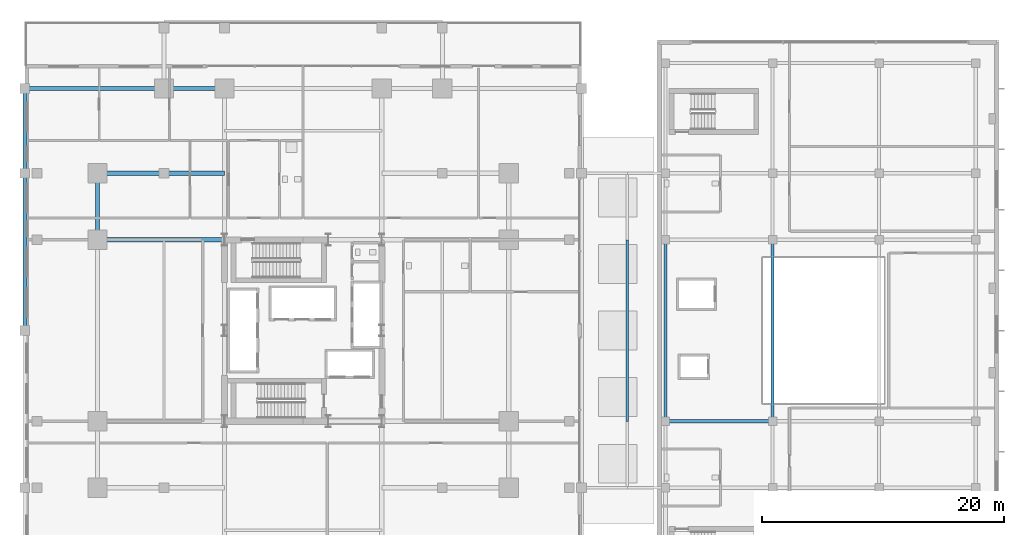
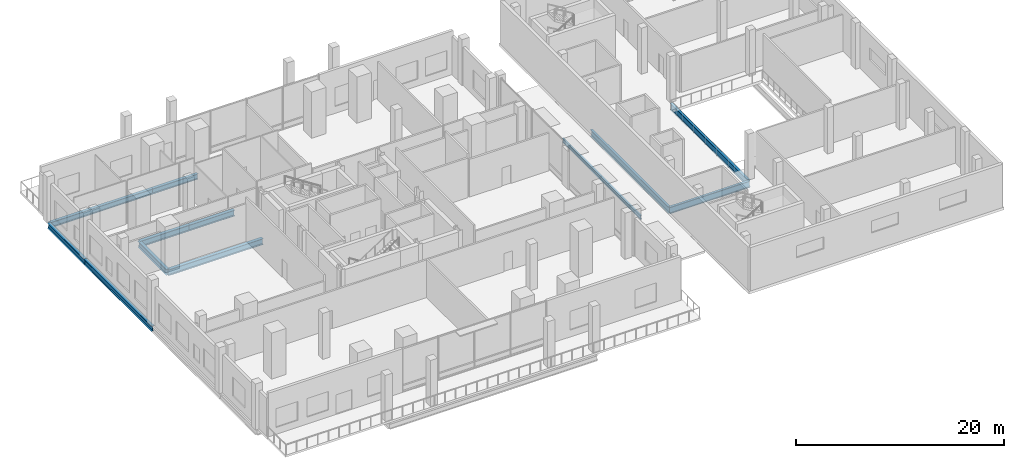
# One storey, part 14 of 36: 12 beams.
"""IFC4 building model written with IfcOpenShell, lengths in metres."""

import ifcopenshell
import ifcopenshell.guid

model = None  # the IFC model being written
_history = None  # IfcOwnerHistory: only IFC2X3 demands one
_inside = {}  # id of a spatial element -> (the spatial element, [elements in it])
_under = {}  # id of a project, library or spatial element -> (it, [spatial elements below it])
_declared = {}  # id of a project -> (the project, [libraries it declares])
_typed = {}  # id of a type object -> (the type object, [elements of that type])
_made_of = {}  # id of a material, layer set ... -> (it, [elements and type objects made of it])


def new_model(schema):
    """Start an empty IFC model of exactly this schema.

    Asked for "IFC4X3", IfcOpenShell would pick the latest addendum, in which some entities
    have other attributes; the version numbers below select the first issue.
    IFC2X3 requires an IfcOwnerHistory on every rooted entity: one is made here for all.
    """
    global model, _history
    if schema == "IFC4X3":
        model = ifcopenshell.file(schema_version=(4, 3, 0, 0))
    else:
        model = ifcopenshell.file(schema=schema)
    _inside.clear()
    _under.clear()
    _declared.clear()
    _typed.clear()
    _made_of.clear()
    _history = None
    if model.schema == "IFC2X3":
        org = make("IfcOrganization", Name="unknown")
        user = make(
            "IfcPersonAndOrganization",
            ThePerson=make("IfcPerson", FamilyName="unknown"),
            TheOrganization=org,
        )
        app = make(
            "IfcApplication",
            ApplicationDeveloper=org,
            Version="unknown",
            ApplicationFullName="unknown",
            ApplicationIdentifier="unknown",
        )
        _history = make(
            "IfcOwnerHistory",
            OwningUser=user,
            OwningApplication=app,
            ChangeAction="ADDED",
            CreationDate=0,
        )
    return model


def make(cls, **values):
    """One entity of the class cls with the attributes given. An attribute that is None is left unset."""
    return model.create_entity(
        cls, **{name: value for name, value in values.items() if value is not None}
    )


def rooted(cls, **values):
    """An entity with a GlobalId (a new one), such as an element, a storey or a relation."""
    return make(cls, GlobalId=ifcopenshell.guid.new(), OwnerHistory=_history, **values)


def si_unit(unit_type, name, prefix=None):
    """IfcSIUnit, for example si_unit("LENGTHUNIT", "METRE", prefix="MILLI")."""
    return make("IfcSIUnit", UnitType=unit_type, Prefix=prefix, Name=name)


def assignment(units):
    """IfcUnitAssignment: the units of a project."""
    return None if units is None else make("IfcUnitAssignment", Units=units)


def point(xyz):
    """IfcCartesianPoint."""
    return None if xyz is None else make("IfcCartesianPoint", Coordinates=xyz)


def direction(xyz):
    """IfcDirection."""
    return None if xyz is None else make("IfcDirection", DirectionRatios=xyz)


def frame(location, z_axis=None, x_axis=None):
    """IfcAxis2Placement3D, a coordinate frame: its origin and axes. An axis left out is left unset."""
    return make(
        "IfcAxis2Placement3D",
        Location=point(location),
        Axis=direction(z_axis),
        RefDirection=direction(x_axis),
    )


def frame_2d(location, x_axis=None):
    """IfcAxis2Placement2D, a coordinate frame in the plane: its origin and x axis."""
    return make(
        "IfcAxis2Placement2D", Location=point(location), RefDirection=direction(x_axis)
    )


def origin():
    """The frame at (0, 0, 0) with its axes left unset."""
    return frame((0.0, 0.0, 0.0))


def origin_2d():
    """The frame at (0, 0) in the plane with its x axis left unset."""
    return frame_2d((0.0, 0.0))


def place(relative_to, where):
    """IfcLocalPlacement: puts the frame where relative to a parent placement (None: the world)."""
    return make(
        "IfcLocalPlacement", PlacementRelTo=relative_to, RelativePlacement=where
    )


def context(
    kind, dimensions, precision=None, world=None, true_north=None, identifier=None
):
    """IfcGeometricRepresentationContext, for example the 3D "Model" context."""
    return make(
        "IfcGeometricRepresentationContext",
        ContextIdentifier=identifier,
        ContextType=kind,
        CoordinateSpaceDimension=dimensions,
        Precision=precision,
        WorldCoordinateSystem=world,
        TrueNorth=true_north,
    )


def subcontext(parent, identifier, kind, view, scale=None):
    """IfcGeometricRepresentationSubContext, for example "Body" below "Model"."""
    return make(
        "IfcGeometricRepresentationSubContext",
        ContextIdentifier=identifier,
        ContextType=kind,
        ParentContext=parent,
        TargetScale=scale,
        TargetView=view,
    )


def project(units=None, contexts=None):
    """IfcProject with its units and contexts."""
    return rooted(
        "IfcProject",
        Name="project",
        RepresentationContexts=contexts,
        UnitsInContext=assignment(units),
    )


def spatial(cls, under=None, at=None, **own):
    """A site, building, storey or space (cls), placed at a placement, below another one or the project."""
    s = rooted(cls, ObjectPlacement=at, **own)
    if under is not None:
        _under.setdefault(under.id(), (under, []))[1].append(s)
    return s


def profile(cls, at=None, kind="AREA", **sizes):
    """A parametric profile (cls). Its sizes go by their IFC names, for example OverallWidth=200.0."""
    return make(cls, ProfileType=kind, Position=at, **sizes)


def i_section(**sizes):
    """IfcIShapeProfileDef."""
    return profile("IfcIShapeProfileDef", **sizes)


def extrude(swept, where, along, depth):
    """IfcExtrudedAreaSolid: the profile swept, set in the frame where, extruded along a direction by depth."""
    return make(
        "IfcExtrudedAreaSolid",
        SweptArea=swept,
        Position=where,
        ExtrudedDirection=direction(along),
        Depth=depth,
    )


def shape(context_of_items, identifier, shape_type, items):
    """IfcShapeRepresentation: the items that make up one representation, for example the "Body"."""
    return make(
        "IfcShapeRepresentation",
        ContextOfItems=context_of_items,
        RepresentationIdentifier=identifier,
        RepresentationType=shape_type,
        Items=items,
    )


def material(Name=None, Category=None):
    """IfcMaterial."""
    return make("IfcMaterial", Name=Name, Category=Category)


def material_profile(
    of_material, cross_section, Name=None, Category=None, Priority=None
):
    """IfcMaterialProfile: a cross section and its material."""
    return make(
        "IfcMaterialProfile",
        Name=Name,
        Material=of_material,
        Profile=cross_section,
        Priority=Priority,
        Category=Category,
    )


def profile_set(profiles, Name=None, composite=None):
    """IfcMaterialProfileSet."""
    return make(
        "IfcMaterialProfileSet",
        Name=Name,
        MaterialProfiles=profiles,
        CompositeProfile=composite,
    )


def made_of(thing, what):
    """Note that an element or type object is made of a material, layer set ...; save() writes the relation."""
    if what is not None:
        _made_of.setdefault(what.id(), (what, []))[1].append(thing)
    return thing


def type_object(cls, material=None, **own):
    """A type object (cls), such as IfcWallType, which elements share."""
    return made_of(rooted(cls, **own), material)


def element(
    cls,
    number,
    at=None,
    inside=None,
    cuts=None,
    type_object=None,
    material=None,
    context=None,
    identifier="Body",
    shape_type=None,
    held_by="IfcProductDefinitionShape",
    body=None,
    shapes=None,
    **own,
):
    """One element of the class cls, such as IfcWall. Its Tag is "e" and its number.

    at: its placement. inside: the storey or other place that contains it. cuts: it is an
    opening in that element (IfcRelVoidsElement). A single representation is given by context,
    identifier, shape_type and body (its items); several are given by shapes. held_by: the class
    of the entity that holds the representations. save() writes the other relations.
    """
    e = rooted(cls, Tag="e%d" % number, ObjectPlacement=at, **own)
    if body is not None:
        shapes = [shape(context, identifier, shape_type, body)]
    if shapes is not None:
        e.Representation = make(held_by, Representations=shapes)
    if inside is not None:
        _inside.setdefault(inside.id(), (inside, []))[1].append(e)
    if cuts is not None:
        rooted(
            "IfcRelVoidsElement", RelatingBuildingElement=cuts, RelatedOpeningElement=e
        )
    if type_object is not None:
        _typed.setdefault(type_object.id(), (type_object, []))[1].append(e)
    return made_of(e, material)


def aggregate(whole, parts):
    """IfcRelAggregates: a whole, such as a stair, and the parts it consists of."""
    return rooted("IfcRelAggregates", RelatingObject=whole, RelatedObjects=parts)


def save(model, path):
    """Write the relations noted so far, then the file.

    IfcRelAggregates (storeys below a building ...), IfcRelContainedInSpatialStructure (elements
    in a storey), IfcRelDefinesByType, IfcRelAssociatesMaterial and IfcRelDeclares: one each for
    every whole, place, type object, material and project.
    """
    for whole, parts in _under.values():
        aggregate(whole, parts)
    for where, things in _inside.values():
        rooted(
            "IfcRelContainedInSpatialStructure",
            RelatedElements=things,
            RelatingStructure=where,
        )
    for kind, things in _typed.values():
        rooted("IfcRelDefinesByType", RelatedObjects=things, RelatingType=kind)
    for what, things in _made_of.values():
        rooted("IfcRelAssociatesMaterial", RelatedObjects=things, RelatingMaterial=what)
    for by, libraries in _declared.values():
        rooted("IfcRelDeclares", RelatingContext=by, RelatedDefinitions=libraries)
    model.write(path)


model = new_model("IFC4")

# Units and contexts
model_context = context("Model", 3, precision=1e-05, world=origin(), true_north=direction((0.0, 1.0)))
body_context = subcontext(model_context, "Body", "Model", "MODEL_VIEW")
ifc_project = project(units=[si_unit("LENGTHUNIT", "METRE"), si_unit("AREAUNIT", "SQUARE_METRE"), si_unit("VOLUMEUNIT", "CUBIC_METRE"), si_unit("PLANEANGLEUNIT", "RADIAN"), si_unit("MASSUNIT", "GRAM", prefix="KILO")], contexts=[model_context])

# Site, building, storey
site_placement = place(None, origin())
site = spatial("IfcSite", under=ifc_project, at=site_placement, CompositionType="ELEMENT")
building_placement = place(site_placement, origin())
building = spatial("IfcBuilding", under=site, at=building_placement, Name="Barlavira Tower and Art Museum", CompositionType="ELEMENT")
storey_placement = place(building_placement, frame((0.0, 0.0, 11.39990234375)))
storey = spatial("IfcBuildingStorey", under=building, at=storey_placement, Name="L02", CompositionType="ELEMENT", Elevation=11.39990234375)

# Beams
ifc_material = material(Name="Steel S355", Category="steel")
ifc_material_profile_1 = material_profile(ifc_material, i_section(OverallWidth=0.194091796875, OverallDepth=0.468994140625, WebThickness=0.0126953125, FlangeThickness=0.0205078125, at=origin_2d()), Name="W460x106.0")
ifc_profile_set_1 = profile_set([ifc_material_profile_1], Name="Steel S355")
beam_type_1 = type_object("IfcBeamType", Name="Covered Arcade Roof Girder W460x106 Steel S355", PredefinedType="BEAM", material=ifc_profile_set_1)
beam_1_placement = place(storey_placement, frame((26.800048828125, -7.5, -0.46435546875), z_axis=(0.0, 1.0, 0.0), x_axis=(-1.0, 0.0, 0.0)))
element("IfcBeam", 1, at=beam_1_placement, inside=storey, type_object=beam_type_1, Name="L02 Arcade Longitudinal Beam 2", PredefinedType="BEAM", context=body_context, shape_type="SweptSolid", body=[
    extrude(i_section(OverallWidth=0.194091796875, OverallDepth=0.468994140625, WebThickness=0.0126953125, FlangeThickness=0.0205078125, at=origin_2d()), origin(), (0.0, 0.0, 1.0), 15.0),
])
ifc_material_profile_2 = material_profile(ifc_material, i_section(OverallWidth=0.26904296875, OverallDepth=0.76806640625, WebThickness=0.016845703125, FlangeThickness=0.026611328125, at=origin_2d()), Name="W760x220.0")
ifc_profile_set_2 = profile_set([ifc_material_profile_2], Name="Steel S355")
beam_type_2 = type_object("IfcBeamType", Name="Museum Long-Span Gallery Girder W760x220 Steel S355", PredefinedType="BEAM", material=ifc_profile_set_2)
for number, where, z_axis, x_axis, name in (
    (2, (29.949951171875, -7.5, -0.703857421875), (0.0, 1.0, 0.0), (-1.0, 0.0, 0.0), "L02 Museum Girder Y 1-3"),
    (3, (38.800048828125, -7.5, -0.703857421875), (0.0, 1.0, 0.0), (-1.0, 0.0, 0.0), "L02 Museum Girder Y 2-3"),
):
    element("IfcBeam", number, at=place(storey_placement, frame(where, z_axis=z_axis, x_axis=x_axis)), inside=storey, type_object=beam_type_2, Name=name, PredefinedType="BEAM", context=body_context, shape_type="SweptSolid", body=[
        extrude(i_section(OverallWidth=0.26904296875, OverallDepth=0.76806640625, WebThickness=0.016845703125, FlangeThickness=0.026611328125, at=origin_2d()), origin(), (0.0, 0.0, 1.0), 15.0),
    ])
beam_2_placement = place(storey_placement, frame((29.949951171875, -7.5, -0.703857421875), z_axis=(1.0, 0.0, 0.0), x_axis=(0.0, 1.0, 0.0)))
element("IfcBeam", 4, at=beam_2_placement, inside=storey, type_object=beam_type_2, Name="L02 Museum Girder X 3-1", PredefinedType="BEAM", context=body_context, shape_type="SweptSolid", body=[
    extrude(i_section(OverallWidth=0.26904296875, OverallDepth=0.76806640625, WebThickness=0.016845703125, FlangeThickness=0.026611328125, at=origin_2d()), origin(), (0.0, 0.0, 1.0), 8.85009765625),
])
ifc_material_profile_3 = material_profile(ifc_material, i_section(OverallWidth=0.327880859375, OverallDepth=0.62890625, WebThickness=0.013916015625, FlangeThickness=0.021484375, at=origin_2d()), Name="W610x174.0")
ifc_profile_set_3 = profile_set([ifc_material_profile_3], Name="Steel S355")
beam_type_3 = type_object("IfcBeamType", Name="Perimeter Spandrel Edge Beam W610x174 Steel S355", PredefinedType="SPANDREL", material=ifc_profile_set_3)
beam_3_placement = place(storey_placement, frame((-23.0, 20.0, -0.594482421875), z_axis=(1.0, 0.0, 0.0), x_axis=(0.0, 1.0, 0.0)))
element("IfcBeam", 5, at=beam_3_placement, inside=storey, type_object=beam_type_3, Name="L02 Podium Spandrel PN1", PredefinedType="SPANDREL", context=body_context, shape_type="SweptSolid", body=[
    extrude(i_section(OverallWidth=0.327880859375, OverallDepth=0.62890625, WebThickness=0.013916015625, FlangeThickness=0.021484375, at=origin_2d()), origin(), (0.0, 0.0, 1.0), 11.5),
])
beam_4_placement = place(storey_placement, frame((-11.5, 20.0, -0.594482421875), z_axis=(1.0, 0.0, 0.0), x_axis=(0.0, 1.0, 0.0)))
element("IfcBeam", 6, at=beam_4_placement, inside=storey, type_object=beam_type_3, Name="L02 Podium Spandrel PN2", PredefinedType="SPANDREL", context=body_context, shape_type="SweptSolid", body=[
    extrude(i_section(OverallWidth=0.327880859375, OverallDepth=0.62890625, WebThickness=0.013916015625, FlangeThickness=0.021484375, at=origin_2d()), origin(), (0.0, 0.0, 1.0), 5.0),
])
beam_5_placement = place(storey_placement, frame((-23.0, 0.0, -0.594482421875), z_axis=(0.0, 1.0, 0.0), x_axis=(-1.0, 0.0, 0.0)))
element("IfcBeam", 7, at=beam_5_placement, inside=storey, type_object=beam_type_3, Name="L02 Podium Spandrel PW3", PredefinedType="SPANDREL", context=body_context, shape_type="SweptSolid", body=[
    extrude(i_section(OverallWidth=0.327880859375, OverallDepth=0.62890625, WebThickness=0.013916015625, FlangeThickness=0.021484375, at=origin_2d()), origin(), (0.0, 0.0, 1.0), 13.0),
])
beam_6_placement = place(storey_placement, frame((-23.0, 13.0, -0.594482421875), z_axis=(0.0, 1.0, 0.0), x_axis=(-1.0, 0.0, 0.0)))
element("IfcBeam", 8, at=beam_6_placement, inside=storey, type_object=beam_type_3, Name="L02 Podium Spandrel PW4", PredefinedType="SPANDREL", context=body_context, shape_type="SweptSolid", body=[
    extrude(i_section(OverallWidth=0.327880859375, OverallDepth=0.62890625, WebThickness=0.013916015625, FlangeThickness=0.021484375, at=origin_2d()), origin(), (0.0, 0.0, 1.0), 7.0),
])
ifc_material_profile_4 = material_profile(ifc_material, i_section(OverallWidth=0.35595703125, OverallDepth=0.695068359375, WebThickness=0.014892578125, FlangeThickness=0.023681640625, at=origin_2d()), Name="W690x192.0")
ifc_profile_set_4 = profile_set([ifc_material_profile_4], Name="Steel S355")
beam_type_4 = type_object("IfcBeamType", Name="Podium Primary Girder W690x192 Steel S355", PredefinedType="BEAM", material=ifc_profile_set_4)
beam_7_placement = place(storey_placement, frame((-17.0, 7.5, -0.62744140625), z_axis=(0.0, 1.0, 0.0), x_axis=(-1.0, 0.0, 0.0)))
element("IfcBeam", 9, at=beam_7_placement, inside=storey, type_object=beam_type_4, Name="L02 Girder M-W3", PredefinedType="BEAM", context=body_context, shape_type="SweptSolid", body=[
    extrude(i_section(OverallWidth=0.35595703125, OverallDepth=0.695068359375, WebThickness=0.014892578125, FlangeThickness=0.023681640625, at=origin_2d()), origin(), (0.0, 0.0, 1.0), 5.5),
])
beam_8_placement = place(storey_placement, frame((-17.0, 7.5, -0.62744140625), z_axis=(1.0, 0.0, 0.0), x_axis=(0.0, 1.0, 0.0)))
element("IfcBeam", 10, at=beam_8_placement, inside=storey, type_object=beam_type_4, Name="L02 Girder R-W2", PredefinedType="BEAM", context=body_context, shape_type="SweptSolid", body=[
    extrude(i_section(OverallWidth=0.35595703125, OverallDepth=0.695068359375, WebThickness=0.014892578125, FlangeThickness=0.023681640625, at=origin_2d()), origin(), (0.0, 0.0, 1.0), 10.5),
])
beam_9_placement = place(storey_placement, frame((-17.0, 13.0, -0.62744140625), z_axis=(1.0, 0.0, 0.0), x_axis=(0.0, 1.0, 0.0)))
element("IfcBeam", 11, at=beam_9_placement, inside=storey, type_object=beam_type_4, Name="L02 Girder I-N1", PredefinedType="BEAM", context=body_context, shape_type="SweptSolid", body=[
    extrude(i_section(OverallWidth=0.35595703125, OverallDepth=0.695068359375, WebThickness=0.014892578125, FlangeThickness=0.023681640625, at=origin_2d()), origin(), (0.0, 0.0, 1.0), 5.5),
])
beam_10_placement = place(storey_placement, frame((-11.5, 13.0, -0.62744140625), z_axis=(1.0, 0.0, 0.0), x_axis=(0.0, 1.0, 0.0)))
element("IfcBeam", 12, at=beam_10_placement, inside=storey, type_object=beam_type_4, Name="L02 Girder I-N2", PredefinedType="BEAM", context=body_context, shape_type="SweptSolid", body=[
    extrude(i_section(OverallWidth=0.35595703125, OverallDepth=0.695068359375, WebThickness=0.014892578125, FlangeThickness=0.023681640625, at=origin_2d()), origin(), (0.0, 0.0, 1.0), 5.0),
])

save(model, "model.ifc")
